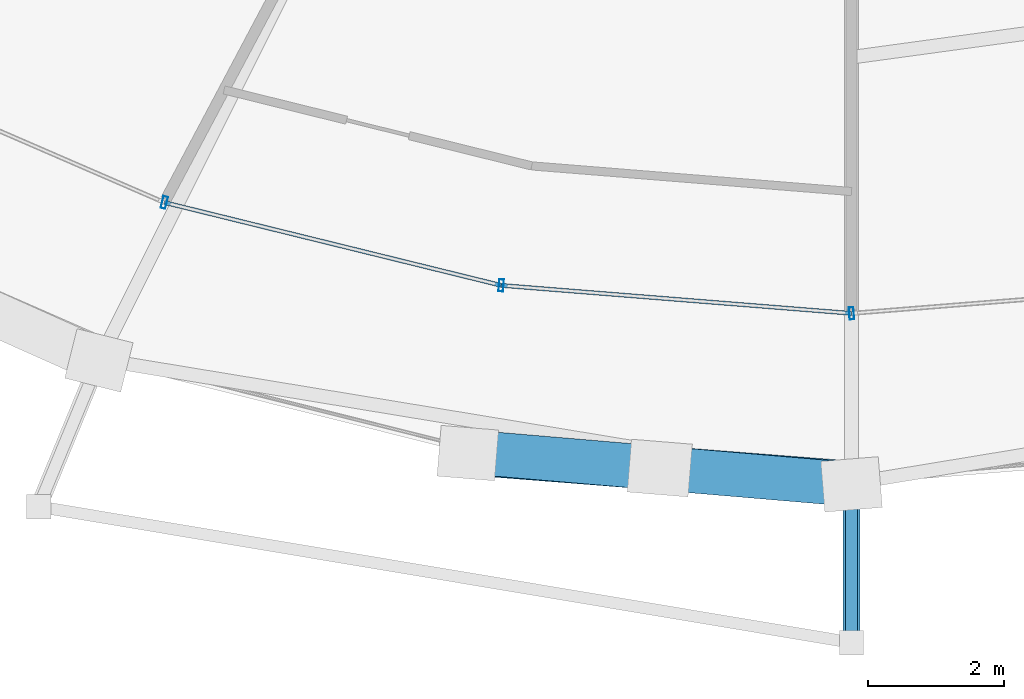
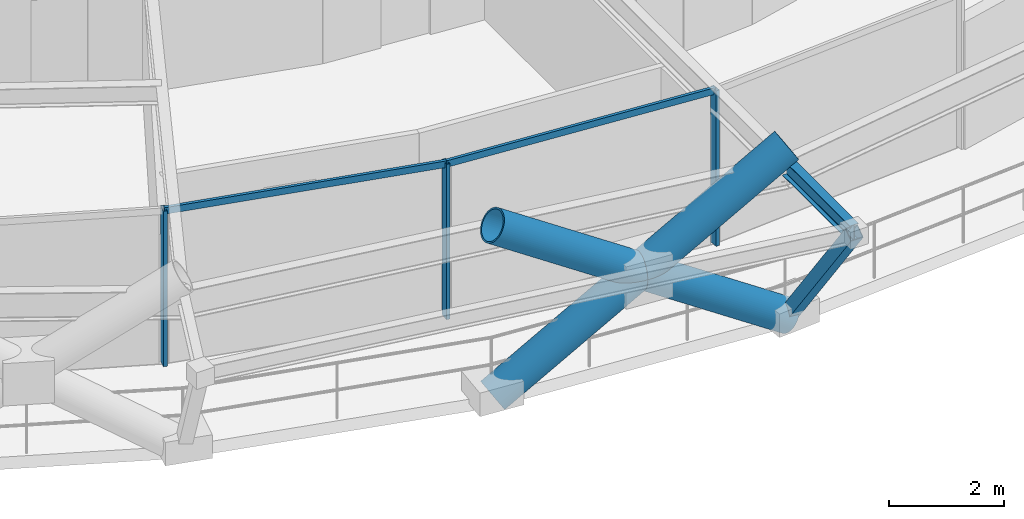
# One storey, part 4 of 20: 9 members, 1 beam, 1 element without a shape of its own.
"""IFC4 building model written with IfcOpenShell, lengths in metres."""

from ifc_helpers import new_model, si_unit, direction, frame, origin, origin_2d, place, context, subcontext, project, spatial, hollow_rectangle, hollow_circle, i_section, extrude, material, layer, layer_set, material_profile, profile_set, type_object, element, aggregate, save


model = new_model("IFC4")

# Units and contexts
model_context = context("Model", 3, precision=1e-05, world=origin(), true_north=direction((0.0, 1.0)))
body_context = subcontext(model_context, "Body", "Model", "MODEL_VIEW")
ifc_project = project(units=[si_unit("LENGTHUNIT", "METRE"), si_unit("AREAUNIT", "SQUARE_METRE"), si_unit("VOLUMEUNIT", "CUBIC_METRE"), si_unit("PLANEANGLEUNIT", "RADIAN"), si_unit("MASSUNIT", "GRAM", prefix="KILO")], contexts=[model_context])

# Site, building, storey
site_placement = place(None, origin())
site = spatial("IfcSite", under=ifc_project, at=site_placement, CompositionType="ELEMENT")
building_placement = place(site_placement, origin())
building = spatial("IfcBuilding", under=site, at=building_placement, Name="Veldorina Hangang Commons", CompositionType="ELEMENT")
storey_placement = place(building_placement, frame((0.0, 0.0, 84.39990234375)))
storey = spatial("IfcBuildingStorey", under=building, at=storey_placement, Name="L21", CompositionType="ELEMENT", Elevation=84.39990234375)

# Beam
ifc_material_1 = material(Name="Steel SM355-TMC", Category="steel")
ifc_material_profile_1 = material_profile(ifc_material_1, i_section(OverallWidth=0.175048828125, OverallDepth=0.35009765625, WebThickness=0.007080078125, FlangeThickness=0.010986328125, FilletRadius=0.012939453125, at=origin_2d()), Name="H-350x175x7x11")
ifc_profile_set_1 = profile_set([ifc_material_profile_1], Name="Steel SM355-TMC")
beam_type = type_object("IfcBeamType", Name="BM-FG350", PredefinedType="BEAM", material=ifc_profile_set_1)
beam_placement = place(storey_placement, frame((32.0, 0.03369140625, 3.1650390625), z_axis=(0.0, -1.0, 0.0), x_axis=(1.0, 0.0, 0.0)))
element("IfcBeam", 1, at=beam_placement, inside=storey, type_object=beam_type, Name="L22 tree balcony 1 bracket beam B", PredefinedType="BEAM", context=body_context, shape_type="SweptSolid", body=[
    extrude(i_section(OverallWidth=0.175048828125, OverallDepth=0.35009765625, WebThickness=0.007080078125, FlangeThickness=0.010986328125, FilletRadius=0.012939453125, at=origin_2d()), origin(), (0.0, 0.0, 1.0), 2.349853515625),
])

# Curtain wall, members
ifc_material_2 = material(Name="Glass Low-E Triple IGU", Category="glass")
ifc_layer = layer(ifc_material_2, 0.179931640625)
ifc_layer_set = layer_set([ifc_layer], Name="Glass Low-E Triple IGU")
curtain_wall_type = type_object("IfcCurtainWallType", Name="CW-SYS-Z1", PredefinedType="NOTDEFINED", material=ifc_layer_set)
curtain_wall_placement = place(storey_placement, origin())
curtain_wall = element("IfcCurtainWall", 2, at=curtain_wall_placement, inside=storey, type_object=curtain_wall_type, Name="L21 unitised curtain wall CW-L21-R1", PredefinedType="NOTDEFINED")
ifc_material_3 = material(Name="Aluminium Anodized AA6063-T6", Category="aluminium")
ifc_material_profile_2 = material_profile(ifc_material_3, hollow_rectangle(XDim=0.070068359375, YDim=0.179931640625, WallThickness=0.00390625, at=origin_2d()), Name="ALU-RHS-180x70x4")
ifc_profile_set_2 = profile_set([ifc_material_profile_2], Name="Aluminium Anodized AA6063-T6")
member_type_1 = type_object("IfcMemberType", Name="CW-MUL-180", PredefinedType="MULLION", material=ifc_profile_set_2)
member_1_placement = place(storey_placement, frame((21.87451171875, 4.168701171875, 0.0), z_axis=(0.0, 0.0, 1.0), x_axis=(0.971025936875, -0.238974119761, 0.0)))
member_1 = element("IfcMember", 3, at=member_1_placement, type_object=member_type_1, Name="CW-L21-R1 vertical mullion 2", PredefinedType="MULLION", context=body_context, shape_type="SweptSolid", body=[
    extrude(hollow_rectangle(XDim=0.070068359375, YDim=0.179931640625, WallThickness=0.00390625, at=origin_2d()), origin(), (0.0, 0.0, 1.0), 3.300048828125),
])
member_2_placement = place(storey_placement, frame((26.838134765625, 2.947021484375, 0.0), z_axis=(0.0, 0.0, 1.0), x_axis=(0.996823514521, -0.079642205503, 0.0)))
member_2 = element("IfcMember", 4, at=member_2_placement, type_object=member_type_1, Name="CW-L21-R1 vertical mullion 3", PredefinedType="MULLION", context=body_context, shape_type="SweptSolid", body=[
    extrude(hollow_rectangle(XDim=0.070068359375, YDim=0.179931640625, WallThickness=0.00390625, at=origin_2d()), origin(), (0.0, 0.0, 1.0), 3.300048828125),
])
member_3_placement = place(storey_placement, frame((32.0, 2.53466796875, 0.0), z_axis=(0.0, 0.0, 1.0), x_axis=(0.996823514521, 0.079642205503, 0.0)))
member_3 = element("IfcMember", 5, at=member_3_placement, type_object=member_type_1, Name="CW-L21-R1 vertical mullion 4", PredefinedType="MULLION", context=body_context, shape_type="SweptSolid", body=[
    extrude(hollow_rectangle(XDim=0.070068359375, YDim=0.179931640625, WallThickness=0.00390625, at=origin_2d()), origin(), (0.0, 0.0, 1.0), 3.300048828125),
])
ifc_material_profile_3 = material_profile(ifc_material_3, hollow_rectangle(XDim=0.06005859375, YDim=0.139892578125, WallThickness=0.00341796875, at=origin_2d()), Name="ALU-RHS-140x60x3.5")
ifc_profile_set_3 = profile_set([ifc_material_profile_3], Name="Aluminium Anodized AA6063-T6")
member_type_2 = type_object("IfcMemberType", Name="CW-TRN-140", PredefinedType="USERDEFINED", material=ifc_profile_set_3)
member_4_placement = place(storey_placement, frame((21.87451171875, 4.168701171875, 3.260009765625), z_axis=(0.971021017894, -0.238994106219, 0.0), x_axis=(0.238994106219, 0.971021017894, 0.0)))
member_4 = element("IfcMember", 6, at=member_4_placement, type_object=member_type_2, Name="CW-L21-R1 facet 2 transom 1", ObjectType="TRANSOM", PredefinedType="USERDEFINED", context=body_context, shape_type="SweptSolid", body=[
    extrude(hollow_rectangle(XDim=0.06005859375, YDim=0.139892578125, WallThickness=0.00341796875, at=origin_2d()), origin(), (0.0, 0.0, 1.0), 5.11181640625),
])
member_5_placement = place(storey_placement, frame((26.838134765625, 2.947021484375, 3.260009765625), z_axis=(0.996824416509, -0.079630915172, 0.0), x_axis=(0.079630915172, 0.996824416509, 0.0)))
member_5 = element("IfcMember", 7, at=member_5_placement, type_object=member_type_2, Name="CW-L21-R1 facet 3 transom 1", ObjectType="TRANSOM", PredefinedType="USERDEFINED", context=body_context, shape_type="SweptSolid", body=[
    extrude(hollow_rectangle(XDim=0.06005859375, YDim=0.139892578125, WallThickness=0.00341796875, at=origin_2d()), origin(), (0.0, 0.0, 1.0), 5.17822265625),
])
aggregate(curtain_wall, [member_1, member_2, member_3, member_4, member_5])

# Members
ifc_material_4 = material(Name="Steel SM460-TMC", Category="steel")
ifc_material_profile_4 = material_profile(ifc_material_4, hollow_circle(Radius=0.324951171875, WallThickness=0.031982421875, at=origin_2d()), Name="CHS-650x32")
ifc_profile_set_4 = profile_set([ifc_material_profile_4], Name="Steel SM460-TMC")
member_type_3 = type_object("IfcMemberType", Name="DG-CHS650", PredefinedType="BRACE", material=ifc_profile_set_4)
member_6_placement = place(storey_placement, frame((26.346435546875, 0.4755859375, 0.0), z_axis=(0.841673679343, -0.06578699139, 0.535964074603), x_axis=(0.077924440757, 0.99695926774, 0.0)))
element("IfcMember", 8, at=member_6_placement, inside=storey, type_object=member_type_3, Name="L21 continuous perimeter diagrid brace 23", PredefinedType="BRACE", context=body_context, shape_type="SweptSolid", body=[
    extrude(hollow_circle(Radius=0.324951171875, WallThickness=0.031982421875, at=origin_2d()), origin(), (0.0, 0.0, 1.0), 6.717041015625),
])
member_7_placement = place(storey_placement, frame((32.0, 0.0146484375, 0.0), z_axis=(-0.841131254183, 0.071444916864, 0.536091258174), x_axis=(-0.084634327605, -0.996412078706, 0.0)))
element("IfcMember", 9, at=member_7_placement, inside=storey, type_object=member_type_3, Name="L21 split perimeter diagrid lower brace 24", PredefinedType="BRACE", context=body_context, shape_type="SweptSolid", body=[
    extrude(hollow_circle(Radius=0.324951171875, WallThickness=0.031982421875, at=origin_2d()), origin(), (0.0, 0.0, 1.0), 3.359130859375),
])
member_8_placement = place(storey_placement, frame((29.174560546875, 0.254638671875, 1.80078125), z_axis=(-0.841098382114, 0.071437347452, 0.536143839836), x_axis=(-0.084628708696, -0.996412555955, 0.0)))
element("IfcMember", 10, at=member_8_placement, inside=storey, type_object=member_type_3, Name="L21 split perimeter diagrid upper brace 24", PredefinedType="BRACE", context=body_context, shape_type="SweptSolid", body=[
    extrude(hollow_circle(Radius=0.324951171875, WallThickness=0.031982421875, at=origin_2d()), origin(), (0.0, 0.0, 1.0), 3.35595703125),
])
ifc_material_profile_5 = material_profile(ifc_material_1, hollow_rectangle(XDim=0.25, YDim=0.25, WallThickness=0.011962890625, at=origin_2d()), Name="SHS-250x250x12")
ifc_profile_set_5 = profile_set([ifc_material_profile_5], Name="Steel SM355-TMC")
member_type_4 = type_object("IfcMemberType", Name="STR-SHS250", PredefinedType="STRUT", material=ifc_profile_set_5)
member_9_placement = place(storey_placement, frame((32.0, 0.0146484375, 0.0), z_axis=(0.0, -0.592980788829, 0.805216606932), x_axis=(1.0, 0.0, 0.0)))
element("IfcMember", 11, at=member_9_placement, inside=storey, type_object=member_type_4, Name="L22 tree balcony 1 raking knee strut B", PredefinedType="STRUT", context=body_context, shape_type="SweptSolid", body=[
    extrude(hollow_rectangle(XDim=0.25, YDim=0.25, WallThickness=0.011962890625, at=origin_2d()), origin(), (0.0, 0.0, 1.0), 3.9306640625),
])

save(model, "model.ifc")
